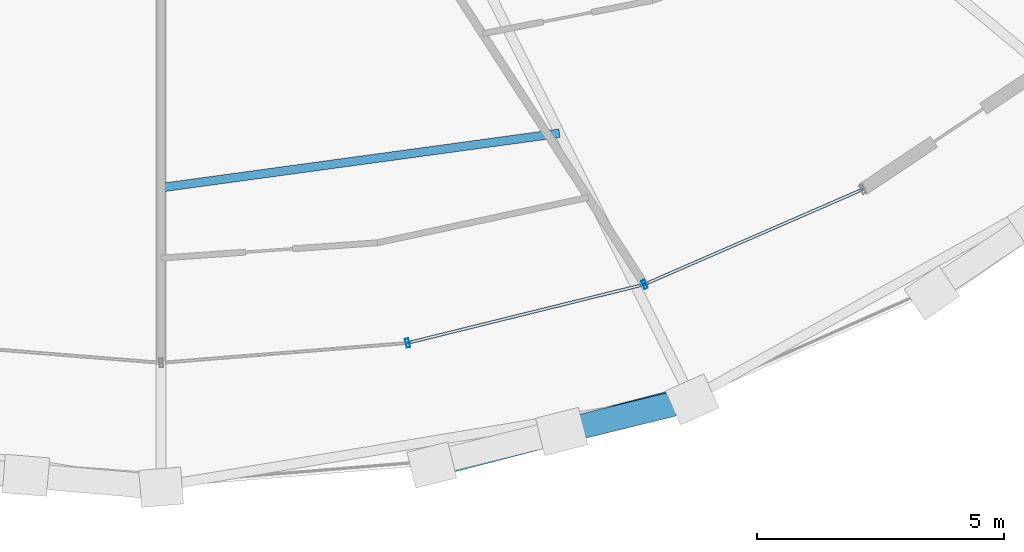
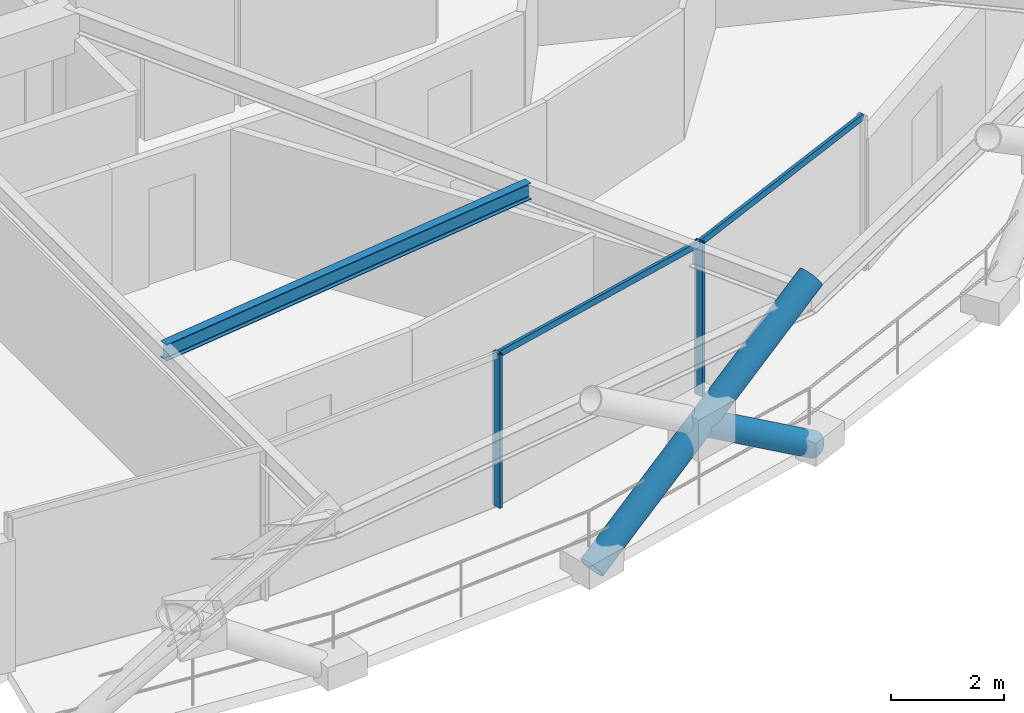
# One storey, part 4 of 19: 6 members, 1 beam, 1 element without a shape of its own.
"""IFC4 building model written with IfcOpenShell, lengths in metres."""

from ifc_helpers import new_model, si_unit, direction, frame, origin, origin_2d, place, context, subcontext, project, spatial, hollow_rectangle, hollow_circle, i_section, extrude, material, layer, layer_set, material_profile, profile_set, type_object, element, aggregate, save


model = new_model("IFC4")

# Units and contexts
model_context = context("Model", 3, precision=1e-05, world=origin(), true_north=direction((0.0, 1.0)))
body_context = subcontext(model_context, "Body", "Model", "MODEL_VIEW")
ifc_project = project(units=[si_unit("LENGTHUNIT", "METRE"), si_unit("AREAUNIT", "SQUARE_METRE"), si_unit("VOLUMEUNIT", "CUBIC_METRE"), si_unit("PLANEANGLEUNIT", "RADIAN"), si_unit("MASSUNIT", "GRAM", prefix="KILO")], contexts=[model_context])

# Site, building, storey
site_placement = place(None, origin())
site = spatial("IfcSite", under=ifc_project, at=site_placement, CompositionType="ELEMENT")
building_placement = place(site_placement, origin())
building = spatial("IfcBuilding", under=site, at=building_placement, Name="Veldorina Hangang Commons", CompositionType="ELEMENT")
storey_placement = place(building_placement, frame((0.0, 0.0, 167.60009765625)))
storey = spatial("IfcBuildingStorey", under=building, at=storey_placement, Name="L43", CompositionType="ELEMENT", Elevation=167.60009765625)

# Beam
ifc_material_1 = material(Name="Steel SM355-TMC", Category="steel")
ifc_material_profile_1 = material_profile(ifc_material_1, i_section(OverallWidth=0.175048828125, OverallDepth=0.35009765625, WebThickness=0.007080078125, FlangeThickness=0.010986328125, FilletRadius=0.012939453125, at=origin_2d()), Name="H-350x175x7x11")
ifc_profile_set_1 = profile_set([ifc_material_profile_1], Name="Steel SM355-TMC")
beam_type = type_object("IfcBeamType", Name="BM-JST350", PredefinedType="JOIST", material=ifc_profile_set_1)
beam_placement = place(storey_placement, frame((32.0, 6.699462890625, 3.1748046875), z_axis=(0.990806793952, 0.135284504132, 0.0), x_axis=(-0.135284504132, 0.990806793952, 0.0)))
element("IfcBeam", 1, at=beam_placement, inside=storey, type_object=beam_type, Name="L43 secondary floor joist 13", PredefinedType="JOIST", context=body_context, shape_type="SweptSolid", body=[
    extrude(i_section(OverallWidth=0.175048828125, OverallDepth=0.35009765625, WebThickness=0.007080078125, FlangeThickness=0.010986328125, FilletRadius=0.012939453125, at=origin_2d()), origin(), (0.0, 0.0, 1.0), 8.140869140625),
])

# Curtain wall, members
ifc_material_2 = material(Name="Glass Low-E Triple IGU", Category="glass")
ifc_layer = layer(ifc_material_2, 0.179931640625)
ifc_layer_set = layer_set([ifc_layer], Name="Glass Low-E Triple IGU")
curtain_wall_type = type_object("IfcCurtainWallType", Name="CW-SYS-Z2", PredefinedType="NOTDEFINED", material=ifc_layer_set)
curtain_wall_placement = place(storey_placement, origin())
curtain_wall = element("IfcCurtainWall", 2, at=curtain_wall_placement, inside=storey, type_object=curtain_wall_type, Name="L43 unitised curtain wall CW-L43-R1", PredefinedType="NOTDEFINED")
ifc_material_3 = material(Name="Aluminium Anodized AA6063-T6", Category="aluminium")
ifc_material_profile_2 = material_profile(ifc_material_3, hollow_rectangle(XDim=0.070068359375, YDim=0.179931640625, WallThickness=0.00390625, at=origin_2d()), Name="ALU-RHS-180x70x4")
ifc_profile_set_2 = profile_set([ifc_material_profile_2], Name="Aluminium Anodized AA6063-T6")
member_type_1 = type_object("IfcMemberType", Name="CW-MUL-180", PredefinedType="MULLION", material=ifc_profile_set_2)
member_1_placement = place(storey_placement, frame((36.989501953125, 3.553955078125, 0.0), z_axis=(0.0, 0.0, 1.0), x_axis=(0.970762584161, 0.240041673865, 0.0)))
member_1 = element("IfcMember", 3, at=member_1_placement, type_object=member_type_1, Name="CW-L43-R1 vertical mullion 3", PredefinedType="MULLION", context=body_context, shape_type="SweptSolid", body=[
    extrude(hollow_rectangle(XDim=0.070068359375, YDim=0.179931640625, WallThickness=0.00390625, at=origin_2d()), origin(), (0.0, 0.0, 1.0), 3.309814453125),
])
member_2_placement = place(storey_placement, frame((41.787109375, 4.740234375, 0.0), z_axis=(0.0, 0.0, 1.0), x_axis=(0.916767529688, 0.399421201877, 0.0)))
member_2 = element("IfcMember", 4, at=member_2_placement, type_object=member_type_1, Name="CW-L43-R1 vertical mullion 4", PredefinedType="MULLION", context=body_context, shape_type="SweptSolid", body=[
    extrude(hollow_rectangle(XDim=0.070068359375, YDim=0.179931640625, WallThickness=0.00390625, at=origin_2d()), origin(), (0.0, 0.0, 1.0), 3.309814453125),
])
ifc_material_profile_3 = material_profile(ifc_material_3, hollow_rectangle(XDim=0.06005859375, YDim=0.139892578125, WallThickness=0.00341796875, at=origin_2d()), Name="ALU-RHS-140x60x3.5")
ifc_profile_set_3 = profile_set([ifc_material_profile_3], Name="Aluminium Anodized AA6063-T6")
member_type_2 = type_object("IfcMemberType", Name="CW-TRN-140", PredefinedType="USERDEFINED", material=ifc_profile_set_3)
member_3_placement = place(storey_placement, frame((36.989501953125, 3.553955078125, 3.27001953125), z_axis=(0.970764049056, 0.240035749548, 0.0), x_axis=(-0.240035749548, 0.970764049056, 0.0)))
member_3 = element("IfcMember", 5, at=member_3_placement, type_object=member_type_2, Name="CW-L43-R1 facet 3 transom 1", ObjectType="TRANSOM", PredefinedType="USERDEFINED", context=body_context, shape_type="SweptSolid", body=[
    extrude(hollow_rectangle(XDim=0.06005859375, YDim=0.139892578125, WallThickness=0.00341796875, at=origin_2d()), origin(), (0.0, 0.0, 1.0), 4.942138671875),
])
member_4_placement = place(storey_placement, frame((41.787109375, 4.740234375, 3.27001953125), z_axis=(0.916780096751, 0.399392356213, 0.0), x_axis=(-0.399392356213, 0.916780096751, 0.0)))
member_4 = element("IfcMember", 6, at=member_4_placement, type_object=member_type_2, Name="CW-L43-R1 facet 4 transom 1", ObjectType="TRANSOM", PredefinedType="USERDEFINED", context=body_context, shape_type="SweptSolid", body=[
    extrude(hollow_rectangle(XDim=0.06005859375, YDim=0.139892578125, WallThickness=0.00341796875, at=origin_2d()), origin(), (0.0, 0.0, 1.0), 4.822998046875),
])
aggregate(curtain_wall, [member_1, member_2, member_3, member_4])

# Members
ifc_material_4 = material(Name="Steel SM420-TMC", Category="steel")
ifc_material_profile_4 = material_profile(ifc_material_4, hollow_circle(Radius=0.25, WallThickness=0.02490234375, at=origin_2d()), Name="CHS-500x25")
ifc_profile_set_4 = profile_set([ifc_material_profile_4], Name="Steel SM420-TMC")
member_type_3 = type_object("IfcMemberType", Name="DG-CHS500", PredefinedType="BRACE", material=ifc_profile_set_4)
member_5_placement = place(storey_placement, frame((37.481201171875, 1.082275390625, 0.0), z_axis=(0.806646606006, 0.208926457894, 0.552875201299), x_axis=(-0.250732589103, 0.968056387181, 0.0)))
element("IfcMember", 7, at=member_5_placement, inside=storey, type_object=member_type_3, Name="L43 continuous perimeter diagrid brace 25", PredefinedType="BRACE", context=body_context, shape_type="SweptSolid", body=[
    extrude(hollow_circle(Radius=0.25, WallThickness=0.02490234375, at=origin_2d()), origin(), (0.0, 0.0, 1.0), 6.51123046875),
])
member_6_placement = place(storey_placement, frame((42.751708984375, 2.412109375, 0.0), z_axis=(-0.809710887985, -0.198873733161, 0.552102813014), x_axis=(0.238521765756, -0.971137151622, 0.0)))
element("IfcMember", 8, at=member_6_placement, inside=storey, type_object=member_type_3, Name="L43 split perimeter diagrid lower brace 26", PredefinedType="BRACE", context=body_context, shape_type="SweptSolid", body=[
    extrude(hollow_circle(Radius=0.25, WallThickness=0.02490234375, at=origin_2d()), origin(), (0.0, 0.0, 1.0), 3.262939453125),
])

save(model, "model.ifc")
